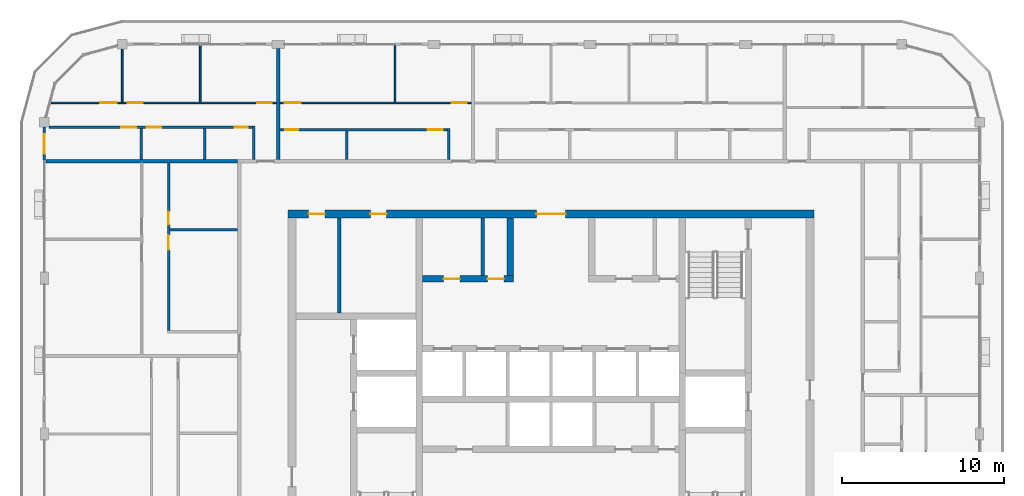
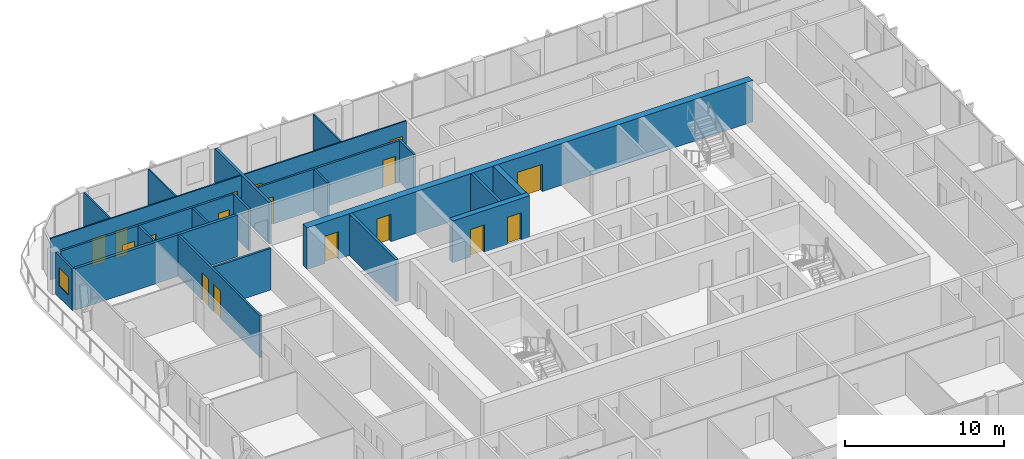
# One storey, part 13 of 22: 22 walls, 17 doors, 1 window, 18 openings.
"""IFC4 building model written with IfcOpenShell, lengths in metres."""

from ifc_helpers import new_model, si_unit, direction, frame, frame_2d, origin, place, context, subcontext, project, spatial, rectangle, extrude, material, layer, layer_set, type_object, element, fill, save


model = new_model("IFC4")

# Units and contexts
model_context = context("Model", 3, precision=1e-05, world=origin(), true_north=direction((0.0, 1.0)))
body_context = subcontext(model_context, "Body", "Model", "MODEL_VIEW")
ifc_project = project(units=[si_unit("LENGTHUNIT", "METRE"), si_unit("AREAUNIT", "SQUARE_METRE"), si_unit("VOLUMEUNIT", "CUBIC_METRE"), si_unit("PLANEANGLEUNIT", "RADIAN"), si_unit("MASSUNIT", "GRAM", prefix="KILO")], contexts=[model_context])

# Site, building, storey
site_placement = place(None, origin())
site = spatial("IfcSite", under=ifc_project, at=site_placement, CompositionType="ELEMENT")
building_placement = place(site_placement, origin())
building = spatial("IfcBuilding", under=site, at=building_placement, Name="Madar Terraces", CompositionType="ELEMENT")
storey_placement = place(building_placement, frame((0.0, 0.0, 282.60009765625)))
storey = spatial("IfcBuildingStorey", under=building, at=storey_placement, Name="L74", CompositionType="ELEMENT", Elevation=282.60009765625)

# Wall, openings, doors
ifc_material_1 = material(Name="Concrete C50/60", Category="concrete")
ifc_layer_1 = layer(ifc_material_1, 0.39990234375)
ifc_layer_set_1 = layer_set([ifc_layer_1], Name="Concrete C50/60 (CIW6 RC wall 400)")
wall_type_1 = type_object("IfcWallType", Name="CIW6 RC wall 400", PredefinedType="SHEAR", material=ifc_layer_set_1)
wall_1_placement = place(storey_placement, frame((23.300048828125, 33.550048828125, 0.0), z_axis=(0.0, 0.0, 1.0), x_axis=(1.0, 0.0, 0.0)))
wall_1 = element("IfcWall", 1, at=wall_1_placement, inside=storey, type_object=wall_type_1, Name="CORE SHAFT WALL", PredefinedType="SHEAR", context=body_context, shape_type="SweptSolid", body=[
    extrude(rectangle(XDim=5.599853515625, YDim=0.39990234375, at=frame_2d((2.7998046875, 0.0))), origin(), (0.0, 0.0, 1.0), 3.199951171875),
])
opening_1_placement = place(wall_1_placement, frame((1.2958984375, 0.0, 0.0)))
opening_1 = element("IfcOpeningElement", 2, at=opening_1_placement, cuts=wall_1, Name="Opening KD2", PredefinedType="OPENING", context=body_context, shape_type="SweptSolid", body=[
    extrude(rectangle(XDim=1.0, YDim=2.10009765625, at=frame_2d((0.5, 1.050048828125))), frame((0.0, 0.2099609375, 0.0), z_axis=(0.0, -1.0, 0.0), x_axis=(1.0, 0.0, 0.0)), (0.0, 0.0, 1.0), 0.419921875),
])
opening_2_placement = place(wall_1_placement, frame((3.99609375, 0.0, 0.0)))
opening_2 = element("IfcOpeningElement", 3, at=opening_2_placement, cuts=wall_1, Name="Opening KD2", PredefinedType="OPENING", context=body_context, shape_type="SweptSolid", body=[
    extrude(rectangle(XDim=1.0, YDim=2.10009765625, at=frame_2d((0.5, 1.050048828125))), frame((0.0, 0.2099609375, 0.0), z_axis=(0.0, -1.0, 0.0), x_axis=(1.0, 0.0, 0.0)), (0.0, 0.0, 1.0), 0.419921875),
])
ifc_material_2 = material(Name="Steel door leaf", Category="steel")
door_type_1 = type_object("IfcDoorType", Name="Service room door 1000 x 2100", OperationType="NOTDEFINED", PredefinedType="DOOR", material=ifc_material_2)
door_1_placement = place(opening_1_placement, frame((1.0, 0.0, 0.0), z_axis=(0.0, 0.0, 1.0), x_axis=(-1.0, 0.0, 0.0)))
door_1 = element("IfcDoor", 4, at=door_1_placement, inside=storey, type_object=door_type_1, Name="SERVICE ROOM DOOR", OperationType="SINGLE_SWING_RIGHT", OverallHeight=2.10009765625, OverallWidth=1.0, PredefinedType="DOOR", context=body_context, shape_type="SweptSolid", body=[
    extrude(rectangle(XDim=1.0, YDim=2.10009765625, at=frame_2d((0.5, 1.050048828125))), frame((0.0, 0.02490234375, 0.0), z_axis=(0.0, -1.0, 0.0), x_axis=(1.0, 0.0, 0.0)), (0.0, 0.0, 1.0), 0.050048828125),
])
fill(opening_1, door_1)
door_2_placement = place(opening_2_placement, frame((1.0, 0.0, 0.0), z_axis=(0.0, 0.0, 1.0), x_axis=(-1.0, 0.0, 0.0)))
door_2 = element("IfcDoor", 5, at=door_2_placement, inside=storey, type_object=door_type_1, Name="SERVICE ROOM DOOR", OperationType="SINGLE_SWING_LEFT", OverallHeight=2.10009765625, OverallWidth=1.0, PredefinedType="DOOR", context=body_context, shape_type="SweptSolid", body=[
    extrude(rectangle(XDim=1.0, YDim=2.10009765625, at=frame_2d((0.5, 1.050048828125))), frame((0.0, 0.02490234375, 0.0), z_axis=(0.0, -1.0, 0.0), x_axis=(1.0, 0.0, 0.0)), (0.0, 0.0, 1.0), 0.050048828125),
])
fill(opening_2, door_2)

# Wall
wall_2_placement = place(storey_placement, frame((28.699951171875, 33.75, 0.0), z_axis=(0.0, 0.0, 1.0), x_axis=(0.0, 1.0, 0.0)))
element("IfcWall", 6, at=wall_2_placement, inside=storey, type_object=wall_type_1, Name="CORE SHAFT WALL", PredefinedType="SHEAR", context=body_context, shape_type="SweptSolid", body=[
    extrude(rectangle(XDim=3.550048828125, YDim=0.39990234375, at=frame_2d((1.77490234375, 0.0))), origin(), (0.0, 0.0, 1.0), 3.199951171875),
])

# Wall, openings, doors
ifc_material_3 = material(Name="Concrete C50/60", Category="concrete")
ifc_layer_2 = layer(ifc_material_3, 0.5)
ifc_layer_set_2 = layer_set([ifc_layer_2], Name="Concrete C50/60 (CRW6 RC wall 500)")
wall_type_2 = type_object("IfcWallType", Name="CRW6 RC wall 500", PredefinedType="SHEAR", material=ifc_layer_set_2)
wall_3_placement = place(storey_placement, frame((15.0, 37.550048828125, 0.0), z_axis=(0.0, 0.0, 1.0), x_axis=(1.0, 0.0, 0.0)))
wall_3 = element("IfcWall", 7, at=wall_3_placement, inside=storey, type_object=wall_type_2, Name="CORE OUTER WALL", PredefinedType="SHEAR", context=body_context, shape_type="SweptSolid", body=[
    extrude(rectangle(XDim=32.39990234375, YDim=0.5, at=frame_2d((16.199951171875, 0.0))), origin(), (0.0, 0.0, 1.0), 3.199951171875),
])
opening_3_placement = place(wall_3_placement, frame((15.300048828125, 0.0, 0.0)))
opening_3 = element("IfcOpeningElement", 8, at=opening_3_placement, cuts=wall_3, Name="Opening KD1", PredefinedType="OPENING", context=body_context, shape_type="SweptSolid", body=[
    extrude(rectangle(XDim=1.800048828125, YDim=2.10009765625, at=frame_2d((0.89990234375, 1.050048828125))), frame((0.0, 0.260009765625, 0.0), z_axis=(0.0, -1.0, 0.0), x_axis=(1.0, 0.0, 0.0)), (0.0, 0.0, 1.0), 0.52001953125),
])
opening_4_placement = place(wall_3_placement, frame((1.281982421875, 0.0, 0.0)))
opening_4 = element("IfcOpeningElement", 9, at=opening_4_placement, cuts=wall_3, Name="Opening KD2", PredefinedType="OPENING", context=body_context, shape_type="SweptSolid", body=[
    extrude(rectangle(XDim=1.0, YDim=2.10009765625, at=frame_2d((0.5, 1.050048828125))), frame((0.0, 0.260009765625, 0.0), z_axis=(0.0, -1.0, 0.0), x_axis=(1.0, 0.0, 0.0)), (0.0, 0.0, 1.0), 0.52001953125),
])
opening_5_placement = place(wall_3_placement, frame((5.08203125, 0.0, 0.0)))
opening_5 = element("IfcOpeningElement", 10, at=opening_5_placement, cuts=wall_3, Name="Opening KD2", PredefinedType="OPENING", context=body_context, shape_type="SweptSolid", body=[
    extrude(rectangle(XDim=1.0, YDim=2.10009765625, at=frame_2d((0.5, 1.050048828125))), frame((0.0, 0.260009765625, 0.0), z_axis=(0.0, -1.0, 0.0), x_axis=(1.0, 0.0, 0.0)), (0.0, 0.0, 1.0), 0.52001953125),
])
ifc_material_4 = material(Name="Steel door leaf", Category="steel")
door_type_2 = type_object("IfcDoorType", Name="Lobby door pair 1800 x 2100", OperationType="DOUBLE_DOOR_SINGLE_SWING", PredefinedType="DOOR", material=ifc_material_4)
door_3_placement = place(opening_3_placement, origin())
door_3 = element("IfcDoor", 11, at=door_3_placement, inside=storey, type_object=door_type_2, Name="LIFT LOBBY DOOR", OperationType="DOUBLE_DOOR_SINGLE_SWING", OverallHeight=2.10009765625, OverallWidth=1.800048828125, PredefinedType="DOOR", context=body_context, shape_type="SweptSolid", body=[
    extrude(rectangle(XDim=1.800048828125, YDim=2.10009765625, at=frame_2d((0.89990234375, 1.050048828125))), frame((0.0, 0.02490234375, 0.0), z_axis=(0.0, -1.0, 0.0), x_axis=(1.0, 0.0, 0.0)), (0.0, 0.0, 1.0), 0.050048828125),
])
fill(opening_3, door_3)
door_4_placement = place(opening_4_placement, origin())
door_4 = element("IfcDoor", 12, at=door_4_placement, inside=storey, type_object=door_type_1, Name="SERVICE ROOM DOOR", OperationType="SINGLE_SWING_LEFT", OverallHeight=2.10009765625, OverallWidth=1.0, PredefinedType="DOOR", context=body_context, shape_type="SweptSolid", body=[
    extrude(rectangle(XDim=1.0, YDim=2.10009765625, at=frame_2d((0.5, 1.050048828125))), frame((0.0, 0.02490234375, 0.0), z_axis=(0.0, -1.0, 0.0), x_axis=(1.0, 0.0, 0.0)), (0.0, 0.0, 1.0), 0.050048828125),
])
fill(opening_4, door_4)
door_5_placement = place(opening_5_placement, origin())
door_5 = element("IfcDoor", 13, at=door_5_placement, inside=storey, type_object=door_type_1, Name="SERVICE ROOM DOOR", OperationType="SINGLE_SWING_RIGHT", OverallHeight=2.10009765625, OverallWidth=1.0, PredefinedType="DOOR", context=body_context, shape_type="SweptSolid", body=[
    extrude(rectangle(XDim=1.0, YDim=2.10009765625, at=frame_2d((0.5, 1.050048828125))), frame((0.0, 0.02490234375, 0.0), z_axis=(0.0, -1.0, 0.0), x_axis=(1.0, 0.0, 0.0)), (0.0, 0.0, 1.0), 0.050048828125),
])
fill(opening_5, door_5)

# Walls
ifc_material_5 = material(Name="Masonry blockwork", Category="masonry")
ifc_layer_3 = layer(ifc_material_5, 0.199951171875)
ifc_layer_set_3 = layer_set([ifc_layer_3], Name="Core partition 200 blockwork")
wall_type_3 = type_object("IfcWallType", Name="Core partition 200 blockwork", PredefinedType="PARTITIONING", material=ifc_layer_set_3)
wall_4_placement = place(storey_placement, frame((18.1640625, 31.449951171875, 0.0), z_axis=(0.0, 0.0, 1.0), x_axis=(0.0, 1.0, 0.0)))
element("IfcWall", 14, at=wall_4_placement, inside=storey, type_object=wall_type_3, Name="SERVICE ROOM PARTITION", PredefinedType="PARTITIONING", context=body_context, shape_type="SweptSolid", body=[
    extrude(rectangle(XDim=5.85009765625, YDim=0.199951171875, at=frame_2d((2.925048828125, 0.0))), origin(), (0.0, 0.0, 1.0), 3.199951171875),
])
wall_5_placement = place(storey_placement, frame((26.991943359375, 33.75, 0.0), z_axis=(0.0, 0.0, 1.0), x_axis=(0.0, 1.0, 0.0)))
element("IfcWall", 15, at=wall_5_placement, inside=storey, type_object=wall_type_3, Name="SERVICE ROOM PARTITION", PredefinedType="PARTITIONING", context=body_context, shape_type="SweptSolid", body=[
    extrude(rectangle(XDim=3.550048828125, YDim=0.199951171875, at=frame_2d((1.77490234375, 0.0))), origin(), (0.0, 0.0, 1.0), 3.199951171875),
])

# Wall, opening, window
ifc_material_6 = material(Name="Aluminium composite panel, black, over insulated backing", Category="aluminium")
ifc_layer_4 = layer(ifc_material_6, 0.14990234375)
ifc_layer_set_4 = layer_set([ifc_layer_4], Name="Facade bay panel 150")
wall_type_4 = type_object("IfcWallType", Name="Facade bay panel 150", PredefinedType="SOLIDWALL", material=ifc_layer_set_4)
wall_6_placement = place(storey_placement, frame((0.0, 42.89990234375, 0.0), z_axis=(0.0, 0.0, 1.0), x_axis=(0.0, -1.0, 0.0)))
wall_6 = element("IfcWall", 16, at=wall_6_placement, inside=storey, type_object=wall_type_4, Name="Facade bay panel", PredefinedType="SOLIDWALL", context=body_context, shape_type="SweptSolid", body=[
    extrude(rectangle(XDim=2.099853515625, YDim=0.14990234375, at=frame_2d((1.0498046875, 0.0))), origin(), (0.0, 0.0, 1.0), 3.199951171875),
])
opening_6_placement = place(wall_6_placement, frame((0.449951171875, 0.0, 0.89990234375)))
opening_6 = element("IfcOpeningElement", 17, at=opening_6_placement, cuts=wall_6, Name="Opening W1", PredefinedType="OPENING", context=body_context, shape_type="SweptSolid", body=[
    extrude(rectangle(XDim=1.199951171875, YDim=1.39990234375, at=frame_2d((0.60009765625, 0.699951171875))), frame((0.0, 0.0849609375, 0.0), z_axis=(0.0, -1.0, 0.0), x_axis=(1.0, 0.0, 0.0)), (0.0, 0.0, 1.0), 0.169921875),
])
ifc_material_7 = material(Name="Glass, clear, with black aluminium frame", Category="aluminium")
window_type = type_object("IfcWindowType", Name="Vent window 1200 x 1400", PartitioningType="SINGLE_PANEL", PredefinedType="WINDOW", material=ifc_material_7)
window_placement = place(opening_6_placement, origin())
window = element("IfcWindow", 18, at=window_placement, inside=storey, type_object=window_type, Name="Operable vent window", OverallHeight=1.39990234375, OverallWidth=1.199951171875, PartitioningType="SINGLE_PANEL", PredefinedType="WINDOW", context=body_context, shape_type="SweptSolid", body=[
    extrude(rectangle(XDim=1.199951171875, YDim=1.39990234375, at=frame_2d((0.60009765625, 0.699951171875))), frame((0.0, 0.030029296875, 0.0), z_axis=(0.0, -1.0, 0.0), x_axis=(1.0, 0.0, 0.0)), (0.0, 0.0, 1.0), 0.06005859375),
])
fill(opening_6, window)

# Wall
ifc_material_8 = material(Name="Gypsum board on steel studs", Category="steel")
ifc_layer_5 = layer(ifc_material_8, 0.10009765625)
ifc_layer_set_5 = layer_set([ifc_layer_5], Name="Flat partition 100")
wall_type_5 = type_object("IfcWallType", Name="Flat partition 100", PredefinedType="PARTITIONING", material=ifc_layer_set_5)
wall_7_placement = place(storey_placement, frame((21.60009765625, 44.449951171875, 0.0), z_axis=(0.0, 0.0, 1.0), x_axis=(0.0, 1.0, 0.0)))
element("IfcWall", 19, at=wall_7_placement, inside=storey, type_object=wall_type_5, Name="Flat partition 100", PredefinedType="PARTITIONING", context=body_context, shape_type="SweptSolid", body=[
    extrude(rectangle(XDim=3.449951171875, YDim=0.10009765625, at=frame_2d((1.72509765625, 0.0))), origin(), (0.0, 0.0, 1.0), 3.199951171875),
])

# Wall, openings, doors
wall_8_placement = place(storey_placement, frame((14.5, 44.39990234375, 0.0), z_axis=(0.0, 0.0, 1.0), x_axis=(1.0, 0.0, 0.0)))
wall_8 = element("IfcWall", 20, at=wall_8_placement, inside=storey, type_object=wall_type_5, Name="Flat partition 100", PredefinedType="PARTITIONING", context=body_context, shape_type="SweptSolid", body=[
    extrude(rectangle(XDim=11.800048828125, YDim=0.10009765625, at=frame_2d((5.89990234375, 0.0))), origin(), (0.0, 0.0, 1.0), 3.199951171875),
])
opening_7_placement = place(wall_8_placement, frame((10.60009765625, 0.0, 0.0)))
opening_7 = element("IfcOpeningElement", 21, at=opening_7_placement, cuts=wall_8, Name="Opening D2", PredefinedType="OPENING", context=body_context, shape_type="SweptSolid", body=[
    extrude(rectangle(XDim=0.89990234375, YDim=2.10009765625, at=frame_2d((0.449951171875, 1.050048828125))), frame((0.0, 0.06005859375, 0.0), z_axis=(0.0, -1.0, 0.0), x_axis=(1.0, 0.0, 0.0)), (0.0, 0.0, 1.0), 0.1201171875),
])
opening_8_placement = place(wall_8_placement, frame((0.300048828125, 0.0, 0.0)))
opening_8 = element("IfcOpeningElement", 22, at=opening_8_placement, cuts=wall_8, Name="Opening D3", PredefinedType="OPENING", context=body_context, shape_type="SweptSolid", body=[
    extrude(rectangle(XDim=1.0, YDim=2.10009765625, at=frame_2d((0.5, 1.050048828125))), frame((0.0, 0.06005859375, 0.0), z_axis=(0.0, -1.0, 0.0), x_axis=(1.0, 0.0, 0.0)), (0.0, 0.0, 1.0), 0.1201171875),
])
ifc_material_9 = material(Name="Timber door leaf", Category="wood")
door_type_3 = type_object("IfcDoorType", Name="Flat living room door 1000", OperationType="NOTDEFINED", PredefinedType="DOOR", material=ifc_material_9)
door_6_placement = place(opening_8_placement, origin())
door_6 = element("IfcDoor", 23, at=door_6_placement, inside=storey, type_object=door_type_3, Name="Flat living room door 1000", OperationType="SINGLE_SWING_LEFT", OverallHeight=2.10009765625, OverallWidth=1.0, PredefinedType="DOOR", context=body_context, shape_type="SweptSolid", body=[
    extrude(rectangle(XDim=1.0, YDim=2.10009765625, at=frame_2d((0.5, 1.050048828125))), frame((0.0, 0.02490234375, 0.0), z_axis=(0.0, -1.0, 0.0), x_axis=(1.0, 0.0, 0.0)), (0.0, 0.0, 1.0), 0.050048828125),
])
fill(opening_8, door_6)
ifc_material_10 = material(Name="Timber door leaf", Category="wood")
door_type_4 = type_object("IfcDoorType", Name="Flat room door 900", OperationType="NOTDEFINED", PredefinedType="DOOR", material=ifc_material_10)
door_7_placement = place(opening_7_placement, origin())
door_7 = element("IfcDoor", 24, at=door_7_placement, inside=storey, type_object=door_type_4, Name="Flat room door 900", OperationType="SINGLE_SWING_RIGHT", OverallHeight=2.10009765625, OverallWidth=0.89990234375, PredefinedType="DOOR", context=body_context, shape_type="SweptSolid", body=[
    extrude(rectangle(XDim=0.89990234375, YDim=2.10009765625, at=frame_2d((0.449951171875, 1.050048828125))), frame((0.0, 0.02490234375, 0.0), z_axis=(0.0, -1.0, 0.0), x_axis=(1.0, 0.0, 0.0)), (0.0, 0.0, 1.0), 0.050048828125),
])
fill(opening_7, door_7)

# Walls
wall_9_placement = place(storey_placement, frame((9.60009765625, 44.449951171875, 0.0), z_axis=(0.0, 0.0, 1.0), x_axis=(0.0, 1.0, 0.0)))
element("IfcWall", 25, at=wall_9_placement, inside=storey, type_object=wall_type_5, Name="Flat partition 100", PredefinedType="PARTITIONING", context=body_context, shape_type="SweptSolid", body=[
    extrude(rectangle(XDim=3.449951171875, YDim=0.10009765625, at=frame_2d((1.72509765625, 0.0))), origin(), (0.0, 0.0, 1.0), 3.199951171875),
])
wall_10_placement = place(storey_placement, frame((4.800048828125, 44.449951171875, 0.0), z_axis=(0.0, 0.0, 1.0), x_axis=(0.0, 1.0, 0.0)))
element("IfcWall", 26, at=wall_10_placement, inside=storey, type_object=wall_type_5, Name="Flat partition 100", PredefinedType="PARTITIONING", context=body_context, shape_type="SweptSolid", body=[
    extrude(rectangle(XDim=3.25, YDim=0.10009765625, at=frame_2d((1.625, 0.0))), origin(), (0.0, 0.0, 1.0), 3.199951171875),
])

# Wall, openings, doors
wall_11_placement = place(storey_placement, frame((0.42138671875, 44.39990234375, 0.0), z_axis=(0.0, 0.0, 1.0), x_axis=(1.0, 0.0, 0.0)))
wall_11 = element("IfcWall", 27, at=wall_11_placement, inside=storey, type_object=wall_type_5, Name="Flat partition 100", PredefinedType="PARTITIONING", context=body_context, shape_type="SweptSolid", body=[
    extrude(rectangle(XDim=13.878662109375, YDim=0.10009765625, at=frame_2d((6.939453125, 0.0))), origin(), (0.0, 0.0, 1.0), 3.199951171875),
])
opening_9_placement = place(wall_11_placement, frame((12.678466796875, 0.0, 0.0)))
opening_9 = element("IfcOpeningElement", 28, at=opening_9_placement, cuts=wall_11, Name="Opening D2", PredefinedType="OPENING", context=body_context, shape_type="SweptSolid", body=[
    extrude(rectangle(XDim=0.89990234375, YDim=2.10009765625, at=frame_2d((0.449951171875, 1.050048828125))), frame((0.0, 0.06005859375, 0.0), z_axis=(0.0, -1.0, 0.0), x_axis=(1.0, 0.0, 0.0)), (0.0, 0.0, 1.0), 0.1201171875),
])
opening_10_placement = place(wall_11_placement, frame((4.728515625, 0.0, 0.0)))
opening_10 = element("IfcOpeningElement", 29, at=opening_10_placement, cuts=wall_11, Name="Opening D2", PredefinedType="OPENING", context=body_context, shape_type="SweptSolid", body=[
    extrude(rectangle(XDim=0.89990234375, YDim=2.10009765625, at=frame_2d((0.449951171875, 1.050048828125))), frame((0.0, 0.06005859375, 0.0), z_axis=(0.0, -1.0, 0.0), x_axis=(1.0, 0.0, 0.0)), (0.0, 0.0, 1.0), 0.1201171875),
])
opening_11_placement = place(wall_11_placement, frame((3.028564453125, 0.0, 0.0)))
opening_11 = element("IfcOpeningElement", 30, at=opening_11_placement, cuts=wall_11, Name="Opening D3", PredefinedType="OPENING", context=body_context, shape_type="SweptSolid", body=[
    extrude(rectangle(XDim=1.0, YDim=2.10009765625, at=frame_2d((0.5, 1.050048828125))), frame((0.0, 0.06005859375, 0.0), z_axis=(0.0, -1.0, 0.0), x_axis=(1.0, 0.0, 0.0)), (0.0, 0.0, 1.0), 0.1201171875),
])
door_8_placement = place(opening_11_placement, origin())
door_8 = element("IfcDoor", 31, at=door_8_placement, inside=storey, type_object=door_type_3, Name="Flat living room door 1000", OperationType="SINGLE_SWING_RIGHT", OverallHeight=2.10009765625, OverallWidth=1.0, PredefinedType="DOOR", context=body_context, shape_type="SweptSolid", body=[
    extrude(rectangle(XDim=1.0, YDim=2.10009765625, at=frame_2d((0.5, 1.050048828125))), frame((0.0, 0.02490234375, 0.0), z_axis=(0.0, -1.0, 0.0), x_axis=(1.0, 0.0, 0.0)), (0.0, 0.0, 1.0), 0.050048828125),
])
fill(opening_11, door_8)
door_9_placement = place(opening_9_placement, origin())
door_9 = element("IfcDoor", 32, at=door_9_placement, inside=storey, type_object=door_type_4, Name="Flat room door 900", OperationType="SINGLE_SWING_RIGHT", OverallHeight=2.10009765625, OverallWidth=0.89990234375, PredefinedType="DOOR", context=body_context, shape_type="SweptSolid", body=[
    extrude(rectangle(XDim=0.89990234375, YDim=2.10009765625, at=frame_2d((0.449951171875, 1.050048828125))), frame((0.0, 0.02490234375, 0.0), z_axis=(0.0, -1.0, 0.0), x_axis=(1.0, 0.0, 0.0)), (0.0, 0.0, 1.0), 0.050048828125),
])
fill(opening_9, door_9)
door_10_placement = place(opening_10_placement, origin())
door_10 = element("IfcDoor", 33, at=door_10_placement, inside=storey, type_object=door_type_4, Name="Flat room door 900", OperationType="SINGLE_SWING_LEFT", OverallHeight=2.10009765625, OverallWidth=0.89990234375, PredefinedType="DOOR", context=body_context, shape_type="SweptSolid", body=[
    extrude(rectangle(XDim=0.89990234375, YDim=2.10009765625, at=frame_2d((0.449951171875, 1.050048828125))), frame((0.0, 0.02490234375, 0.0), z_axis=(0.0, -1.0, 0.0), x_axis=(1.0, 0.0, 0.0)), (0.0, 0.0, 1.0), 0.050048828125),
])
fill(opening_10, door_10)

# Walls
ifc_material_11 = material(Name="Lightweight blockwork", Category="masonry")
ifc_layer_6 = layer(ifc_material_11, 0.199951171875)
ifc_layer_set_6 = layer_set([ifc_layer_6], Name="Flat party and entrance wall 200")
wall_type_6 = type_object("IfcWallType", Name="Flat party and entrance wall 200", PredefinedType="PARTITIONING", material=ifc_layer_set_6)
wall_12_placement = place(storey_placement, frame((14.39990234375, 47.75, 0.0), z_axis=(0.0, 0.0, 1.0), x_axis=(0.0, -1.0, 0.0)))
element("IfcWall", 34, at=wall_12_placement, inside=storey, type_object=wall_type_6, Name="Flat party and entrance wall 200", PredefinedType="PARTITIONING", context=body_context, shape_type="SweptSolid", body=[
    extrude(rectangle(XDim=6.85009765625, YDim=0.199951171875, at=frame_2d((3.425048828125, 0.0))), origin(), (0.0, 0.0, 1.0), 3.199951171875),
])
wall_13_placement = place(storey_placement, frame((0.10009765625, 40.800048828125, 0.0), z_axis=(0.0, 0.0, 1.0), x_axis=(1.0, 0.0, 0.0)))
element("IfcWall", 35, at=wall_13_placement, inside=storey, type_object=wall_type_6, Name="Flat party and entrance wall 200", PredefinedType="PARTITIONING", context=body_context, shape_type="SweptSolid", body=[
    extrude(rectangle(XDim=11.7998046875, YDim=0.199951171875, at=frame_2d((5.89990234375, 0.0))), origin(), (0.0, 0.0, 1.0), 3.199951171875),
])
ifc_material_12 = material(Name="Lightweight blockwork", Category="masonry")
ifc_layer_7 = layer(ifc_material_12, 0.14990234375)
ifc_layer_set_7 = layer_set([ifc_layer_7], Name="Flat wet-room partition 150")
wall_type_7 = type_object("IfcWallType", Name="Flat wet-room partition 150", PredefinedType="PARTITIONING", material=ifc_layer_set_7)
wall_14_placement = place(storey_placement, frame((18.6298828125, 40.89990234375, 0.0), z_axis=(0.0, 0.0, 1.0), x_axis=(0.0, 1.0, 0.0)))
element("IfcWall", 36, at=wall_14_placement, inside=storey, type_object=wall_type_7, Name="Flat wet-room partition 150", PredefinedType="PARTITIONING", context=body_context, shape_type="SweptSolid", body=[
    extrude(rectangle(XDim=1.775146484375, YDim=0.14990234375, at=frame_2d((0.8876953125, 0.0))), origin(), (0.0, 0.0, 1.0), 3.199951171875),
])
wall_15_placement = place(storey_placement, frame((24.89990234375, 40.89990234375, 0.0), z_axis=(0.0, 0.0, 1.0), x_axis=(0.0, 1.0, 0.0)))
element("IfcWall", 37, at=wall_15_placement, inside=storey, type_object=wall_type_7, Name="Flat wet-room partition 150", PredefinedType="PARTITIONING", context=body_context, shape_type="SweptSolid", body=[
    extrude(rectangle(XDim=1.925048828125, YDim=0.14990234375, at=frame_2d((0.96240234375, 0.0))), origin(), (0.0, 0.0, 1.0), 3.199951171875),
])

# Wall, openings, doors
wall_16_placement = place(storey_placement, frame((24.824951171875, 42.75, 0.0), z_axis=(0.0, 0.0, 1.0), x_axis=(-1.0, 0.0, 0.0)))
wall_16 = element("IfcWall", 38, at=wall_16_placement, inside=storey, type_object=wall_type_7, Name="Flat wet-room partition 150", PredefinedType="PARTITIONING", context=body_context, shape_type="SweptSolid", body=[
    extrude(rectangle(XDim=10.324951171875, YDim=0.14990234375, at=frame_2d((5.16259765625, 0.0))), origin(), (0.0, 0.0, 1.0), 3.199951171875),
])
opening_12_placement = place(wall_16_placement, frame((0.300048828125, 0.0, 0.0)))
opening_12 = element("IfcOpeningElement", 39, at=opening_12_placement, cuts=wall_16, Name="Opening D2", PredefinedType="OPENING", context=body_context, shape_type="SweptSolid", body=[
    extrude(rectangle(XDim=0.89990234375, YDim=2.10009765625, at=frame_2d((0.449951171875, 1.050048828125))), frame((0.0, 0.0849609375, 0.0), z_axis=(0.0, -1.0, 0.0), x_axis=(1.0, 0.0, 0.0)), (0.0, 0.0, 1.0), 0.169921875),
])
opening_13_placement = place(wall_16_placement, frame((9.175048828125, 0.0, 0.0)))
opening_13 = element("IfcOpeningElement", 40, at=opening_13_placement, cuts=wall_16, Name="Opening D4", PredefinedType="OPENING", context=body_context, shape_type="SweptSolid", body=[
    extrude(rectangle(XDim=0.800048828125, YDim=2.10009765625, at=frame_2d((0.39990234375, 1.050048828125))), frame((0.0, 0.0849609375, 0.0), z_axis=(0.0, -1.0, 0.0), x_axis=(1.0, 0.0, 0.0)), (0.0, 0.0, 1.0), 0.169921875),
])
ifc_material_13 = material(Name="Timber door leaf", Category="wood")
door_type_5 = type_object("IfcDoorType", Name="Flat bathroom door 800", OperationType="NOTDEFINED", PredefinedType="DOOR", material=ifc_material_13)
door_11_placement = place(opening_13_placement, origin())
door_11 = element("IfcDoor", 41, at=door_11_placement, inside=storey, type_object=door_type_5, Name="Flat bathroom door 800", OperationType="SINGLE_SWING_RIGHT", OverallHeight=2.10009765625, OverallWidth=0.800048828125, PredefinedType="DOOR", context=body_context, shape_type="SweptSolid", body=[
    extrude(rectangle(XDim=0.800048828125, YDim=2.10009765625, at=frame_2d((0.39990234375, 1.050048828125))), frame((0.0, 0.02490234375, 0.0), z_axis=(0.0, -1.0, 0.0), x_axis=(1.0, 0.0, 0.0)), (0.0, 0.0, 1.0), 0.050048828125),
])
fill(opening_13, door_11)
door_12_placement = place(opening_12_placement, origin())
door_12 = element("IfcDoor", 42, at=door_12_placement, inside=storey, type_object=door_type_4, Name="Flat room door 900", OperationType="SINGLE_SWING_LEFT", OverallHeight=2.10009765625, OverallWidth=0.89990234375, PredefinedType="DOOR", context=body_context, shape_type="SweptSolid", body=[
    extrude(rectangle(XDim=0.89990234375, YDim=2.10009765625, at=frame_2d((0.449951171875, 1.050048828125))), frame((0.0, 0.02490234375, 0.0), z_axis=(0.0, -1.0, 0.0), x_axis=(1.0, 0.0, 0.0)), (0.0, 0.0, 1.0), 0.050048828125),
])
fill(opening_12, door_12)

# Walls
for number, where, z_axis, x_axis, name in (
    (43, (9.888427734375, 40.89990234375, 0.0), (0.0, 0.0, 1.0), (0.0, 1.0, 0.0), "Flat wet-room partition 150"),
    (44, (5.97314453125, 40.89990234375, 0.0), (0.0, 0.0, 1.0), (0.0, 1.0, 0.0), "Flat wet-room partition 150"),
):
    element("IfcWall", number, at=place(storey_placement, frame(where, z_axis=z_axis, x_axis=x_axis)), inside=storey, type_object=wall_type_7, Name=name, PredefinedType="PARTITIONING", context=body_context, shape_type="SweptSolid", body=[
        extrude(rectangle(XDim=1.925048828125, YDim=0.14990234375, at=frame_2d((0.96240234375, 0.0))), origin(), (0.0, 0.0, 1.0), 3.199951171875),
    ])
wall_17_placement = place(storey_placement, frame((12.89990234375, 40.89990234375, 0.0), z_axis=(0.0, 0.0, 1.0), x_axis=(0.0, 1.0, 0.0)))
element("IfcWall", 45, at=wall_17_placement, inside=storey, type_object=wall_type_7, Name="Flat wet-room partition 150", PredefinedType="PARTITIONING", context=body_context, shape_type="SweptSolid", body=[
    extrude(rectangle(XDim=2.0751953125, YDim=0.14990234375, at=frame_2d((1.03759765625, 0.0))), origin(), (0.0, 0.0, 1.0), 3.199951171875),
])

# Wall, openings, doors
wall_18_placement = place(storey_placement, frame((12.824951171875, 42.89990234375, 0.0), z_axis=(0.0, 0.0, 1.0), x_axis=(-1.0, 0.0, 0.0)))
wall_18 = element("IfcWall", 46, at=wall_18_placement, inside=storey, type_object=wall_type_7, Name="Flat wet-room partition 150", PredefinedType="PARTITIONING", context=body_context, shape_type="SweptSolid", body=[
    extrude(rectangle(XDim=12.52490234375, YDim=0.14990234375, at=frame_2d((6.262451171875, 0.0))), origin(), (0.0, 0.0, 1.0), 3.199951171875),
])
opening_14_placement = place(wall_18_placement, frame((0.300048828125, 0.0, 0.0)))
opening_14 = element("IfcOpeningElement", 47, at=opening_14_placement, cuts=wall_18, Name="Opening D4", PredefinedType="OPENING", context=body_context, shape_type="SweptSolid", body=[
    extrude(rectangle(XDim=0.800048828125, YDim=2.10009765625, at=frame_2d((0.39990234375, 1.050048828125))), frame((0.0, 0.0849609375, 0.0), z_axis=(0.0, -1.0, 0.0), x_axis=(1.0, 0.0, 0.0)), (0.0, 0.0, 1.0), 0.169921875),
])
opening_15_placement = place(wall_18_placement, frame((5.626953125, 0.0, 0.0)))
opening_15 = element("IfcOpeningElement", 48, at=opening_15_placement, cuts=wall_18, Name="Opening D5", PredefinedType="OPENING", context=body_context, shape_type="SweptSolid", body=[
    extrude(rectangle(XDim=0.89990234375, YDim=2.10009765625, at=frame_2d((0.449951171875, 1.050048828125))), frame((0.0, 0.0849609375, 0.0), z_axis=(0.0, -1.0, 0.0), x_axis=(1.0, 0.0, 0.0)), (0.0, 0.0, 1.0), 0.169921875),
])
opening_16_placement = place(wall_18_placement, frame((7.177001953125, 0.0, 0.0)))
opening_16 = element("IfcOpeningElement", 49, at=opening_16_placement, cuts=wall_18, Name="Opening D2", PredefinedType="OPENING", context=body_context, shape_type="SweptSolid", body=[
    extrude(rectangle(XDim=0.89990234375, YDim=2.10009765625, at=frame_2d((0.449951171875, 1.050048828125))), frame((0.0, 0.0849609375, 0.0), z_axis=(0.0, -1.0, 0.0), x_axis=(1.0, 0.0, 0.0)), (0.0, 0.0, 1.0), 0.169921875),
])
ifc_material_14 = material(Name="Timber door leaf", Category="wood")
door_type_6 = type_object("IfcDoorType", Name="Flat accessible bathroom door 900", OperationType="NOTDEFINED", PredefinedType="DOOR", material=ifc_material_14)
door_13_placement = place(opening_15_placement, origin())
door_13 = element("IfcDoor", 50, at=door_13_placement, inside=storey, type_object=door_type_6, Name="Flat accessible bathroom door 900", OperationType="SINGLE_SWING_RIGHT", OverallHeight=2.10009765625, OverallWidth=0.89990234375, PredefinedType="DOOR", context=body_context, shape_type="SweptSolid", body=[
    extrude(rectangle(XDim=0.89990234375, YDim=2.10009765625, at=frame_2d((0.449951171875, 1.050048828125))), frame((0.0, 0.02490234375, 0.0), z_axis=(0.0, -1.0, 0.0), x_axis=(1.0, 0.0, 0.0)), (0.0, 0.0, 1.0), 0.050048828125),
])
fill(opening_15, door_13)
door_14_placement = place(opening_14_placement, origin())
door_14 = element("IfcDoor", 51, at=door_14_placement, inside=storey, type_object=door_type_5, Name="Flat bathroom door 800", OperationType="SINGLE_SWING_LEFT", OverallHeight=2.10009765625, OverallWidth=0.800048828125, PredefinedType="DOOR", context=body_context, shape_type="SweptSolid", body=[
    extrude(rectangle(XDim=0.800048828125, YDim=2.10009765625, at=frame_2d((0.39990234375, 1.050048828125))), frame((0.0, 0.02490234375, 0.0), z_axis=(0.0, -1.0, 0.0), x_axis=(1.0, 0.0, 0.0)), (0.0, 0.0, 1.0), 0.050048828125),
])
fill(opening_14, door_14)
door_15_placement = place(opening_16_placement, origin())
door_15 = element("IfcDoor", 52, at=door_15_placement, inside=storey, type_object=door_type_4, Name="Flat room door 900", OperationType="SINGLE_SWING_LEFT", OverallHeight=2.10009765625, OverallWidth=0.89990234375, PredefinedType="DOOR", context=body_context, shape_type="SweptSolid", body=[
    extrude(rectangle(XDim=0.89990234375, YDim=2.10009765625, at=frame_2d((0.449951171875, 1.050048828125))), frame((0.0, 0.02490234375, 0.0), z_axis=(0.0, -1.0, 0.0), x_axis=(1.0, 0.0, 0.0)), (0.0, 0.0, 1.0), 0.050048828125),
])
fill(opening_16, door_15)

# Wall
wall_19_placement = place(storey_placement, frame((11.89990234375, 36.570068359375, 0.0), z_axis=(0.0, 0.0, 1.0), x_axis=(-1.0, 0.0, 0.0)))
element("IfcWall", 53, at=wall_19_placement, inside=storey, type_object=wall_type_7, Name="Flat wet-room partition 150", PredefinedType="PARTITIONING", context=body_context, shape_type="SweptSolid", body=[
    extrude(rectangle(XDim=4.1748046875, YDim=0.14990234375, at=frame_2d((2.08740234375, 0.0))), origin(), (0.0, 0.0, 1.0), 3.199951171875),
])

# Wall, openings, doors
wall_20_placement = place(storey_placement, frame((7.64990234375, 40.699951171875, 0.0), z_axis=(0.0, 0.0, 1.0), x_axis=(0.0, -1.0, 0.0)))
wall_20 = element("IfcWall", 54, at=wall_20_placement, inside=storey, type_object=wall_type_7, Name="Flat wet-room partition 150", PredefinedType="PARTITIONING", context=body_context, shape_type="SweptSolid", body=[
    extrude(rectangle(XDim=10.324951171875, YDim=0.14990234375, at=frame_2d((5.16259765625, 0.0))), origin(), (0.0, 0.0, 1.0), 3.199951171875),
])
opening_17_placement = place(wall_20_placement, frame((4.455078125, 0.0, 0.0)))
opening_17 = element("IfcOpeningElement", 55, at=opening_17_placement, cuts=wall_20, Name="Opening D2", PredefinedType="OPENING", context=body_context, shape_type="SweptSolid", body=[
    extrude(rectangle(XDim=0.89990234375, YDim=2.10009765625, at=frame_2d((0.449951171875, 1.050048828125))), frame((0.0, 0.0849609375, 0.0), z_axis=(0.0, -1.0, 0.0), x_axis=(1.0, 0.0, 0.0)), (0.0, 0.0, 1.0), 0.169921875),
])
opening_18_placement = place(wall_20_placement, frame((3.0048828125, 0.0, 0.0)))
opening_18 = element("IfcOpeningElement", 56, at=opening_18_placement, cuts=wall_20, Name="Opening D4", PredefinedType="OPENING", context=body_context, shape_type="SweptSolid", body=[
    extrude(rectangle(XDim=0.800048828125, YDim=2.10009765625, at=frame_2d((0.39990234375, 1.050048828125))), frame((0.0, 0.0849609375, 0.0), z_axis=(0.0, -1.0, 0.0), x_axis=(1.0, 0.0, 0.0)), (0.0, 0.0, 1.0), 0.169921875),
])
door_16_placement = place(opening_18_placement, origin())
door_16 = element("IfcDoor", 57, at=door_16_placement, inside=storey, type_object=door_type_5, Name="Flat bathroom door 800", OperationType="SINGLE_SWING_RIGHT", OverallHeight=2.10009765625, OverallWidth=0.800048828125, PredefinedType="DOOR", context=body_context, shape_type="SweptSolid", body=[
    extrude(rectangle(XDim=0.800048828125, YDim=2.10009765625, at=frame_2d((0.39990234375, 1.050048828125))), frame((0.0, 0.02490234375, 0.0), z_axis=(0.0, -1.0, 0.0), x_axis=(1.0, 0.0, 0.0)), (0.0, 0.0, 1.0), 0.050048828125),
])
fill(opening_18, door_16)
door_17_placement = place(opening_17_placement, origin())
door_17 = element("IfcDoor", 58, at=door_17_placement, inside=storey, type_object=door_type_4, Name="Flat room door 900", OperationType="SINGLE_SWING_LEFT", OverallHeight=2.10009765625, OverallWidth=0.89990234375, PredefinedType="DOOR", context=body_context, shape_type="SweptSolid", body=[
    extrude(rectangle(XDim=0.89990234375, YDim=2.10009765625, at=frame_2d((0.449951171875, 1.050048828125))), frame((0.0, 0.02490234375, 0.0), z_axis=(0.0, -1.0, 0.0), x_axis=(1.0, 0.0, 0.0)), (0.0, 0.0, 1.0), 0.050048828125),
])
fill(opening_17, door_17)

save(model, "model.ifc")
